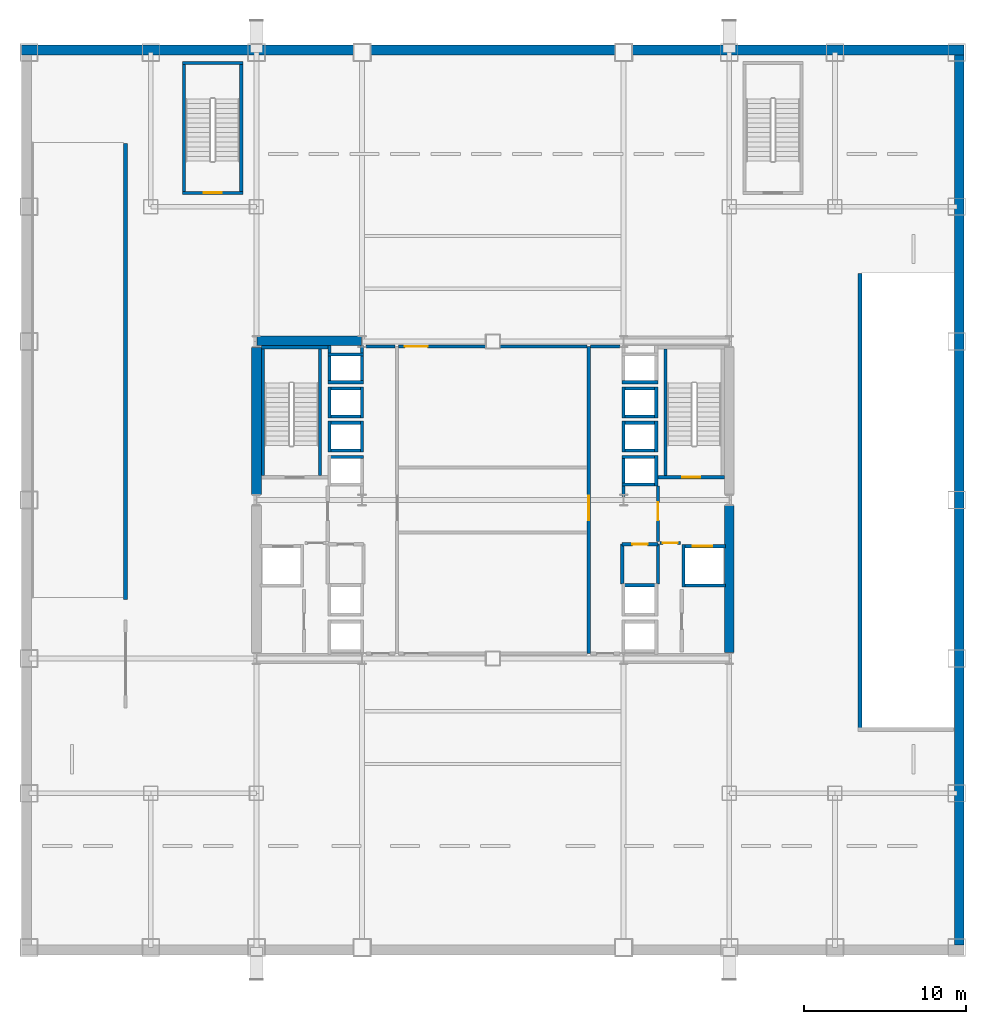
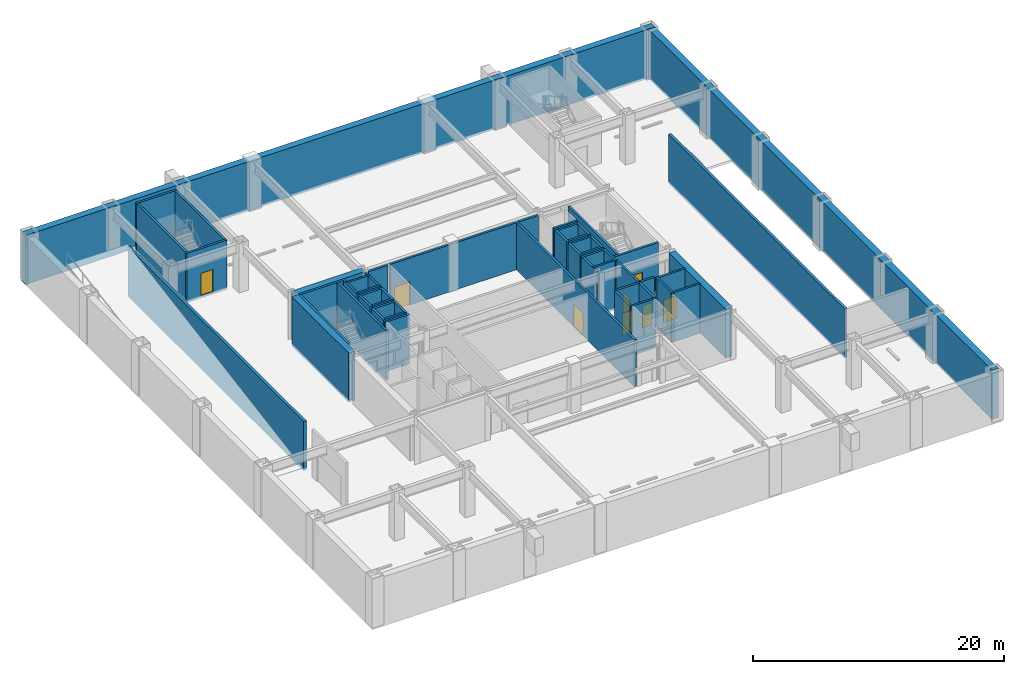
# One storey, part 7 of 10: 55 walls, 8 doors, 8 openings.
"""IFC4 building model written with IfcOpenShell, lengths in metres."""

from ifc_helpers import new_model, si_unit, direction, frame, frame_2d, origin, place, context, subcontext, project, spatial, rectangle, extrude, material, layer, layer_set, type_object, element, fill, save


model = new_model("IFC4")

# Units and contexts
model_context = context("Model", 3, precision=1e-05, world=origin(), true_north=direction((0.0, 1.0)))
body_context = subcontext(model_context, "Body", "Model", "MODEL_VIEW")
ifc_project = project(units=[si_unit("LENGTHUNIT", "METRE"), si_unit("AREAUNIT", "SQUARE_METRE"), si_unit("VOLUMEUNIT", "CUBIC_METRE"), si_unit("PLANEANGLEUNIT", "RADIAN"), si_unit("MASSUNIT", "GRAM", prefix="KILO")], contexts=[model_context])

# Site, building, storey
site_placement = place(None, origin())
site = spatial("IfcSite", under=ifc_project, at=site_placement, CompositionType="ELEMENT")
building_placement = place(site_placement, origin())
building = spatial("IfcBuilding", under=site, at=building_placement, Name="Brelmoor Portico Tower", CompositionType="ELEMENT")
storey_placement = place(building_placement, frame((0.0, 0.0, -4.800048828125)))
storey = spatial("IfcBuildingStorey", under=building, at=storey_placement, Name="B1", CompositionType="ELEMENT", Elevation=-4.800048828125)

# Walls
ifc_material_1 = material(Name="Concrete C60", Category="concrete")
ifc_layer_1 = layer(ifc_material_1, 0.60009765625)
ifc_layer_set_1 = layer_set([ifc_layer_1], Name="Concrete C60")
wall_type_1 = type_object("IfcWallType", Name="WL-CORE-600", PredefinedType="SHEAR", material=ifc_layer_set_1)
wall_1_placement = place(storey_placement, frame((-14.530029296875, 9.800048828125, -0.219970703125), z_axis=(0.0, 0.0, 1.0), x_axis=(1.0, 0.0, 0.0)))
element("IfcWall", 1, at=wall_1_placement, inside=storey, type_object=wall_type_1, Name="B1 WC North Shear Wall", PredefinedType="SHEAR", context=body_context, shape_type="SweptSolid", body=[
    extrude(rectangle(XDim=6.4599609375, YDim=0.60009765625, at=frame_2d((3.22998046875, 0.0))), origin(), (0.0, 0.0, 1.0), 4.800048828125),
])
for number, where, z_axis, x_axis, name in (
    (2, (-14.550048828125, 0.35009765625, -0.219970703125), (0.0, 0.0, 1.0), (0.0, 1.0, 0.0), "B1 WC Outer North Shear Wall"),
    (3, (14.550048828125, -9.39990234375, -0.219970703125), (0.0, 0.0, 1.0), (0.0, 1.0, 0.0), "B1 EC Outer South Shear Wall"),
):
    element("IfcWall", number, at=place(storey_placement, frame(where, z_axis=z_axis, x_axis=x_axis)), inside=storey, type_object=wall_type_1, Name=name, PredefinedType="SHEAR", context=body_context, shape_type="SweptSolid", body=[
        extrude(rectangle(XDim=9.0498046875, YDim=0.60009765625, at=frame_2d((4.52490234375, 0.0))), origin(), (0.0, 0.0, 1.0), 4.800048828125),
    ])
ifc_material_2 = material(Name="Double-Stud Gypsum Fire Partition", Category="gypsum")
ifc_layer_2 = layer(ifc_material_2, 0.199951171875)
ifc_layer_set_2 = layer_set([ifc_layer_2], Name="Double-Stud Gypsum Fire Partition")
wall_type_2 = type_object("IfcWallType", Name="WL-PART-200", PredefinedType="PARTITIONING", material=ifc_layer_set_2)
wall_2_placement = place(storey_placement, frame((-6.02001953125, 9.449951171875, 0.0), z_axis=(0.0, 0.0, 1.0), x_axis=(-1.0, 0.0, 0.0)))
element("IfcWall", 4, at=wall_2_placement, inside=storey, type_object=wall_type_2, Name="B1 W Lift Lobby North End Wall", PredefinedType="PARTITIONING", context=body_context, shape_type="SweptSolid", body=[
    extrude(rectangle(XDim=1.800048828125, YDim=0.199951171875, at=frame_2d((0.89990234375, 0.0))), origin(), (0.0, 0.0, 1.0), 4.580078125),
])

# Wall, opening, door
wall_3_placement = place(storey_placement, frame((5.89990234375, -9.449951171875, 0.0), z_axis=(0.0, 0.0, 1.0), x_axis=(0.0, 1.0, 0.0)))
wall_3 = element("IfcWall", 5, at=wall_3_placement, inside=storey, type_object=wall_type_2, Name="B1 E Core Lobby Compartment Wall", PredefinedType="PARTITIONING", context=body_context, shape_type="SweptSolid", body=[
    extrude(rectangle(XDim=18.89990234375, YDim=0.199951171875, at=frame_2d((9.449951171875, 0.0))), origin(), (0.0, 0.0, 1.0), 4.580078125),
])
opening_1_placement = place(wall_3_placement, frame((8.199951171875, 0.0, 0.0)))
opening_1 = element("IfcOpeningElement", 6, at=opening_1_placement, cuts=wall_3, Name="Opening D-LB1", PredefinedType="OPENING", context=body_context, shape_type="SweptSolid", body=[
    extrude(rectangle(XDim=1.5, YDim=2.199951171875, at=frame_2d((0.75, 1.10009765625))), frame((0.0, 0.10986328125, 0.0), z_axis=(0.0, -1.0, 0.0), x_axis=(1.0, 0.0, 0.0)), (0.0, 0.0, 1.0), 0.219970703125),
])
ifc_material_3 = material(Name="Double-Leaf Glazed Steel Fire Door", Category="steel")
door_type_1 = type_object("IfcDoorType", Name="DR-LOBBY-1500", OperationType="NOTDEFINED", PredefinedType="DOOR", material=ifc_material_3)
door_1_placement = place(opening_1_placement, origin())
door_1 = element("IfcDoor", 7, at=door_1_placement, inside=storey, type_object=door_type_1, Name="D-0034 B1 E Lift Lobby Main Door", OperationType="DOUBLE_DOOR_SINGLE_SWING", OverallHeight=2.199951171875, OverallWidth=1.5, PredefinedType="DOOR", context=body_context, shape_type="SweptSolid", body=[
    extrude(rectangle(XDim=1.5, YDim=2.199951171875, at=frame_2d((0.75, 1.10009765625))), frame((0.0, 0.02490234375, 0.0), z_axis=(0.0, -1.0, 0.0), x_axis=(1.0, 0.0, 0.0)), (0.0, 0.0, 1.0), 0.050048828125),
])
fill(opening_1, door_1)

# Wall
wall_4_placement = place(storey_placement, frame((6.02001953125, 9.449951171875, 0.0), z_axis=(0.0, 0.0, 1.0), x_axis=(1.0, 0.0, 0.0)))
element("IfcWall", 8, at=wall_4_placement, inside=storey, type_object=wall_type_2, Name="B1 E Lift Lobby North End Wall", PredefinedType="PARTITIONING", context=body_context, shape_type="SweptSolid", body=[
    extrude(rectangle(XDim=1.800048828125, YDim=0.199951171875, at=frame_2d((0.89990234375, 0.0))), origin(), (0.0, 0.0, 1.0), 4.580078125),
])

# Wall, opening, door
wall_5_placement = place(storey_placement, frame((10.159912109375, -2.550048828125, 0.0), z_axis=(0.0, 0.0, 1.0), x_axis=(0.0, 1.0, 0.0)))
wall_5 = element("IfcWall", 9, at=wall_5_placement, inside=storey, type_object=wall_type_2, Name="B1 E Firefighting Lobby Wall", PredefinedType="PARTITIONING", context=body_context, shape_type="SweptSolid", body=[
    extrude(rectangle(XDim=3.400146484375, YDim=0.199951171875, at=frame_2d((1.7001953125, 0.0))), origin(), (0.0, 0.0, 1.0), 4.580078125),
])
opening_2_placement = place(wall_5_placement, frame((1.300048828125, 0.0, 0.0)))
opening_2 = element("IfcOpeningElement", 10, at=opening_2_placement, cuts=wall_5, Name="Opening D-FR1", PredefinedType="OPENING", context=body_context, shape_type="SweptSolid", body=[
    extrude(rectangle(XDim=1.10009765625, YDim=2.14990234375, at=frame_2d((0.550048828125, 1.074951171875))), frame((0.0, 0.10986328125, 0.0), z_axis=(0.0, -1.0, 0.0), x_axis=(1.0, 0.0, 0.0)), (0.0, 0.0, 1.0), 0.219970703125),
])
ifc_material_4 = material(Name="Painted Galvanised Steel Fire Door", Category="steel")
door_type_2 = type_object("IfcDoorType", Name="DR-FIRE-1100", OperationType="NOTDEFINED", PredefinedType="DOOR", material=ifc_material_4)
door_2_placement = place(opening_2_placement, origin())
door_2 = element("IfcDoor", 11, at=door_2_placement, inside=storey, type_object=door_type_2, Name="D-0030 B1 E Firefighting Lobby Door", OperationType="SINGLE_SWING_RIGHT", OverallHeight=2.14990234375, OverallWidth=1.10009765625, PredefinedType="DOOR", context=body_context, shape_type="SweptSolid", body=[
    extrude(rectangle(XDim=1.10009765625, YDim=2.14990234375, at=frame_2d((0.550048828125, 1.074951171875))), frame((0.0, 0.02490234375, 0.0), z_axis=(0.0, -1.0, 0.0), x_axis=(1.0, 0.0, 0.0)), (0.0, 0.0, 1.0), 0.050048828125),
])
fill(opening_2, door_2)

wall_6_placement = place(storey_placement, frame((10.280029296875, -2.64990234375, 0.0), z_axis=(0.0, 0.0, 1.0), x_axis=(1.0, 0.0, 0.0)))
wall_6 = element("IfcWall", 12, at=wall_6_placement, inside=storey, type_object=wall_type_2, Name="B1 E Firefighting Lobby South Wall", PredefinedType="PARTITIONING", context=body_context, shape_type="SweptSolid", body=[
    extrude(rectangle(XDim=1.27001953125, YDim=0.199951171875, at=frame_2d((0.635009765625, 0.0))), origin(), (0.0, 0.0, 1.0), 4.580078125),
])
opening_3_placement = place(wall_6_placement, frame((0.18505859375, 0.0, 0.0)))
opening_3 = element("IfcOpeningElement", 13, at=opening_3_placement, cuts=wall_6, Name="Opening D-IN1", PredefinedType="OPENING", context=body_context, shape_type="SweptSolid", body=[
    extrude(rectangle(XDim=0.89990234375, YDim=2.14990234375, at=frame_2d((0.449951171875, 1.074951171875))), frame((0.0, 0.10986328125, 0.0), z_axis=(0.0, -1.0, 0.0), x_axis=(1.0, 0.0, 0.0)), (0.0, 0.0, 1.0), 0.219970703125),
])
ifc_material_5 = material(Name="Lacquered Timber Suite Door", Category="wood")
door_type_3 = type_object("IfcDoorType", Name="DR-INT-900", OperationType="NOTDEFINED", PredefinedType="DOOR", material=ifc_material_5)
door_3_placement = place(opening_3_placement, origin())
door_3 = element("IfcDoor", 14, at=door_3_placement, inside=storey, type_object=door_type_3, Name="D-0026 B1 E Core Service Vestibule Door", OperationType="SINGLE_SWING_LEFT", OverallHeight=2.14990234375, OverallWidth=0.89990234375, PredefinedType="DOOR", context=body_context, shape_type="SweptSolid", body=[
    extrude(rectangle(XDim=0.89990234375, YDim=2.14990234375, at=frame_2d((0.449951171875, 1.074951171875))), frame((0.0, 0.02490234375, 0.0), z_axis=(0.0, -1.0, 0.0), x_axis=(1.0, 0.0, 0.0)), (0.0, 0.0, 1.0), 0.050048828125),
])
fill(opening_3, door_3)

wall_7_placement = place(storey_placement, frame((7.9599609375, -2.719970703125, 0.0), z_axis=(0.0, 0.0, 1.0), x_axis=(1.0, 0.0, 0.0)))
wall_7 = element("IfcWall", 15, at=wall_7_placement, inside=storey, type_object=wall_type_2, Name="B1 E Electrical Switchgear Closet Wall", PredefinedType="PARTITIONING", context=body_context, shape_type="SweptSolid", body=[
    extrude(rectangle(XDim=2.199951171875, YDim=0.199951171875, at=frame_2d((1.10009765625, 0.0))), origin(), (0.0, 0.0, 1.0), 4.580078125),
])
opening_4_placement = place(wall_7_placement, frame((0.6201171875, 0.0, 0.0)))
opening_4 = element("IfcOpeningElement", 16, at=opening_4_placement, cuts=wall_7, Name="Opening D-FR4", PredefinedType="OPENING", context=body_context, shape_type="SweptSolid", body=[
    extrude(rectangle(XDim=0.949951171875, YDim=2.10009765625, at=frame_2d((0.47509765625, 1.050048828125))), frame((0.0, 0.10986328125, 0.0), z_axis=(0.0, -1.0, 0.0), x_axis=(1.0, 0.0, 0.0)), (0.0, 0.0, 1.0), 0.219970703125),
])
ifc_material_6 = material(Name="Painted Galvanised Steel Riser Door", Category="steel")
door_type_4 = type_object("IfcDoorType", Name="DR-FIRE-950", OperationType="NOTDEFINED", PredefinedType="DOOR", material=ifc_material_6)
door_4_placement = place(opening_4_placement, origin())
door_4 = element("IfcDoor", 17, at=door_4_placement, inside=storey, type_object=door_type_4, Name="D-0028 B1 E Electrical Switchgear Closet Door", OperationType="SINGLE_SWING_RIGHT", OverallHeight=2.10009765625, OverallWidth=0.949951171875, PredefinedType="DOOR", context=body_context, shape_type="SweptSolid", body=[
    extrude(rectangle(XDim=0.949951171875, YDim=2.10009765625, at=frame_2d((0.47509765625, 1.050048828125))), frame((0.0, 0.02490234375, 0.0), z_axis=(0.0, -1.0, 0.0), x_axis=(1.0, 0.0, 0.0)), (0.0, 0.0, 1.0), 0.050048828125),
])
fill(opening_4, door_4)

# Walls
for number, where, z_axis, x_axis, name in (
    (18, (7.9599609375, -5.159912109375, 0.0), (0.0, 0.0, 1.0), (0.0, 1.0, 0.0), "B1 E Electrical Switchgear Closet Inner Wall"),
    (19, (10.159912109375, -5.159912109375, 0.0), (0.0, 0.0, 1.0), (0.0, 1.0, 0.0), "B1 E Electrical Switchgear Closet Outer Wall"),
):
    element("IfcWall", number, at=place(storey_placement, frame(where, z_axis=z_axis, x_axis=x_axis)), inside=storey, type_object=wall_type_2, Name=name, PredefinedType="PARTITIONING", context=body_context, shape_type="SweptSolid", body=[
        extrude(rectangle(XDim=2.43994140625, YDim=0.199951171875, at=frame_2d((1.219970703125, 0.0))), origin(), (0.0, 0.0, 1.0), 4.580078125),
    ])

# Wall, opening, door
wall_8_placement = place(storey_placement, frame((-5.800048828125, 9.449951171875, 0.0), z_axis=(0.0, 0.0, 1.0), x_axis=(1.0, 0.0, 0.0)))
wall_8 = element("IfcWall", 20, at=wall_8_placement, inside=storey, type_object=wall_type_2, Name="B1 Switchroom Loop Wall", PredefinedType="PARTITIONING", context=body_context, shape_type="SweptSolid", body=[
    extrude(rectangle(XDim=11.60009765625, YDim=0.199951171875, at=frame_2d((5.800048828125, 0.0))), origin(), (0.0, 0.0, 1.0), 4.580078125),
])
opening_5_placement = place(wall_8_placement, frame((0.3798828125, 0.0, 0.0)))
opening_5 = element("IfcOpeningElement", 21, at=opening_5_placement, cuts=wall_8, Name="Opening D-PL1", PredefinedType="OPENING", context=body_context, shape_type="SweptSolid", body=[
    extrude(rectangle(XDim=1.39990234375, YDim=2.25, at=frame_2d((0.699951171875, 1.125))), frame((0.0, 0.10986328125, 0.0), z_axis=(0.0, -1.0, 0.0), x_axis=(1.0, 0.0, 0.0)), (0.0, 0.0, 1.0), 0.219970703125),
])
ifc_material_7 = material(Name="Double-Leaf Acoustic Steel Plant Door", Category="steel")
door_type_5 = type_object("IfcDoorType", Name="DR-PLANT-1400", OperationType="NOTDEFINED", PredefinedType="DOOR", material=ifc_material_7)
door_5_placement = place(opening_5_placement, origin())
door_5 = element("IfcDoor", 22, at=door_5_placement, inside=storey, type_object=door_type_5, Name="D-0022 B1 Switchroom Door", OperationType="DOUBLE_DOOR_SINGLE_SWING", OverallHeight=2.25, OverallWidth=1.39990234375, PredefinedType="DOOR", context=body_context, shape_type="SweptSolid", body=[
    extrude(rectangle(XDim=1.39990234375, YDim=2.25, at=frame_2d((0.699951171875, 1.125))), frame((0.0, 0.02490234375, 0.0), z_axis=(0.0, -1.0, 0.0), x_axis=(1.0, 0.0, 0.0)), (0.0, 0.0, 1.0), 0.050048828125),
])
fill(opening_5, door_5)

# Walls
ifc_material_8 = material(Name="Concrete C50", Category="concrete")
ifc_layer_3 = layer(ifc_material_8, 0.60009765625)
ifc_layer_set_3 = layer_set([ifc_layer_3], Name="Concrete C50")
wall_type_3 = type_object("IfcWallType", Name="WL-RET-600", PredefinedType="STANDARD", material=ifc_layer_set_3)
wall_9_placement = place(storey_placement, frame((-29.0, 27.699951171875, -0.219970703125), z_axis=(0.0, 0.0, 1.0), x_axis=(1.0, 0.0, 0.0)))
element("IfcWall", 23, at=wall_9_placement, inside=storey, type_object=wall_type_3, Name="B1 Basement Retaining Wall N", PredefinedType="STANDARD", context=body_context, shape_type="SweptSolid", body=[
    extrude(rectangle(XDim=58.0, YDim=0.60009765625, at=frame_2d((29.0, 0.0))), origin(), (0.0, 0.0, 1.0), 4.800048828125),
])
wall_10_placement = place(storey_placement, frame((28.699951171875, -27.39990234375, -0.219970703125), z_axis=(0.0, 0.0, 1.0), x_axis=(0.0, 1.0, 0.0)))
element("IfcWall", 24, at=wall_10_placement, inside=storey, type_object=wall_type_3, Name="B1 Basement Retaining Wall E", PredefinedType="STANDARD", context=body_context, shape_type="SweptSolid", body=[
    extrude(rectangle(XDim=54.7998046875, YDim=0.60009765625, at=frame_2d((27.39990234375, 0.0))), origin(), (0.0, 0.0, 1.0), 4.800048828125),
])
ifc_material_9 = material(Name="Precast Concrete C40", Category="concrete")
ifc_layer_4 = layer(ifc_material_9, 0.18994140625)
ifc_layer_set_4 = layer_set([ifc_layer_4], Name="Precast Concrete C40")
wall_type_4 = type_object("IfcWallType", Name="WL-SHAFT-180", PredefinedType="SOLIDWALL", material=ifc_layer_set_4)
wall_11_placement = place(storey_placement, frame((-10.14990234375, 2.655029296875, -0.219970703125), z_axis=(0.0, 0.0, 1.0), x_axis=(1.0, 0.0, 0.0)))
element("IfcWall", 25, at=wall_11_placement, inside=storey, type_object=wall_type_4, Name="B1 Lift PL1 Hoistway North Wall", PredefinedType="SOLIDWALL", context=body_context, shape_type="SweptSolid", body=[
    extrude(rectangle(XDim=2.199951171875, YDim=0.18994140625, at=frame_2d((1.10009765625, 0.0))), origin(), (0.0, 0.0, 1.0), 4.800048828125),
])
for number, where, z_axis, x_axis, name in (
    (26, (-8.044921875, 2.949951171875, -0.219970703125), (0.0, 0.0, 1.0), (0.0, 1.0, 0.0), "B1 Lift PL2 Hoistway Front Wall"),
    (27, (-10.054931640625, 2.949951171875, -0.219970703125), (0.0, 0.0, 1.0), (0.0, 1.0, 0.0), "B1 Lift PL2 Hoistway Back Wall"),
):
    element("IfcWall", number, at=place(storey_placement, frame(where, z_axis=z_axis, x_axis=x_axis)), inside=storey, type_object=wall_type_4, Name=name, PredefinedType="SOLIDWALL", context=body_context, shape_type="SweptSolid", body=[
        extrude(rectangle(XDim=1.900146484375, YDim=0.18994140625, at=frame_2d((0.9501953125, 0.0))), origin(), (0.0, 0.0, 1.0), 4.800048828125),
    ])
for number, where, z_axis, x_axis, name in (
    (28, (-10.14990234375, 4.7548828125, -0.219970703125), (0.0, 0.0, 1.0), (1.0, 0.0, 0.0), "B1 Lift PL2 Hoistway North Wall"),
    (29, (-10.14990234375, 3.044921875, -0.219970703125), (0.0, 0.0, 1.0), (1.0, 0.0, 0.0), "B1 Lift PL2 Hoistway South Wall"),
):
    element("IfcWall", number, at=place(storey_placement, frame(where, z_axis=z_axis, x_axis=x_axis)), inside=storey, type_object=wall_type_4, Name=name, PredefinedType="SOLIDWALL", context=body_context, shape_type="SweptSolid", body=[
        extrude(rectangle(XDim=2.199951171875, YDim=0.18994140625, at=frame_2d((1.10009765625, 0.0))), origin(), (0.0, 0.0, 1.0), 4.800048828125),
    ])
for number, where, z_axis, x_axis, name in (
    (30, (-8.044921875, 5.050048828125, -0.219970703125), (0.0, 0.0, 1.0), (0.0, 1.0, 0.0), "B1 Lift PL3 Hoistway Front Wall"),
    (31, (-10.054931640625, 5.050048828125, -0.219970703125), (0.0, 0.0, 1.0), (0.0, 1.0, 0.0), "B1 Lift PL3 Hoistway Back Wall"),
):
    element("IfcWall", number, at=place(storey_placement, frame(where, z_axis=z_axis, x_axis=x_axis)), inside=storey, type_object=wall_type_4, Name=name, PredefinedType="SOLIDWALL", context=body_context, shape_type="SweptSolid", body=[
        extrude(rectangle(XDim=1.89990234375, YDim=0.18994140625, at=frame_2d((0.949951171875, 0.0))), origin(), (0.0, 0.0, 1.0), 4.800048828125),
    ])
for number, where, z_axis, x_axis, name in (
    (32, (-10.14990234375, 6.85498046875, -0.219970703125), (0.0, 0.0, 1.0), (1.0, 0.0, 0.0), "B1 Lift PL3 Hoistway North Wall"),
    (33, (-10.14990234375, 5.14501953125, -0.219970703125), (0.0, 0.0, 1.0), (1.0, 0.0, 0.0), "B1 Lift PL3 Hoistway South Wall"),
):
    element("IfcWall", number, at=place(storey_placement, frame(where, z_axis=z_axis, x_axis=x_axis)), inside=storey, type_object=wall_type_4, Name=name, PredefinedType="SOLIDWALL", context=body_context, shape_type="SweptSolid", body=[
        extrude(rectangle(XDim=2.199951171875, YDim=0.18994140625, at=frame_2d((1.10009765625, 0.0))), origin(), (0.0, 0.0, 1.0), 4.800048828125),
    ])
for number, where, z_axis, x_axis, name in (
    (34, (-8.044921875, 7.14990234375, -0.219970703125), (0.0, 0.0, 1.0), (0.0, 1.0, 0.0), "B1 Lift PL4 Hoistway Front Wall"),
    (35, (-10.054931640625, 7.14990234375, -0.219970703125), (0.0, 0.0, 1.0), (0.0, 1.0, 0.0), "B1 Lift PL4 Hoistway Back Wall"),
):
    element("IfcWall", number, at=place(storey_placement, frame(where, z_axis=z_axis, x_axis=x_axis)), inside=storey, type_object=wall_type_4, Name=name, PredefinedType="SOLIDWALL", context=body_context, shape_type="SweptSolid", body=[
        extrude(rectangle(XDim=2.3701171875, YDim=0.18994140625, at=frame_2d((1.18505859375, 0.0))), origin(), (0.0, 0.0, 1.0), 4.800048828125),
    ])
for number, where, z_axis, x_axis, name in (
    (36, (-10.14990234375, 8.955078125, -0.219970703125), (0.0, 0.0, 1.0), (1.0, 0.0, 0.0), "B1 Lift PL4 Hoistway North Wall"),
    (37, (-10.14990234375, 7.2451171875, -0.219970703125), (0.0, 0.0, 1.0), (1.0, 0.0, 0.0), "B1 Lift PL4 Hoistway South Wall"),
):
    element("IfcWall", number, at=place(storey_placement, frame(where, z_axis=z_axis, x_axis=x_axis)), inside=storey, type_object=wall_type_4, Name=name, PredefinedType="SOLIDWALL", context=body_context, shape_type="SweptSolid", body=[
        extrude(rectangle(XDim=2.199951171875, YDim=0.18994140625, at=frame_2d((1.10009765625, 0.0))), origin(), (0.0, 0.0, 1.0), 4.800048828125),
    ])
wall_12_placement = place(storey_placement, frame((8.044921875, 0.2099609375, -0.219970703125), z_axis=(0.0, 0.0, 1.0), x_axis=(0.0, 1.0, 0.0)))
element("IfcWall", 38, at=wall_12_placement, inside=storey, type_object=wall_type_4, Name="B1 Lift PM1 Hoistway Front Wall", PredefinedType="SOLIDWALL", context=body_context, shape_type="SweptSolid", body=[
    extrude(rectangle(XDim=2.5400390625, YDim=0.18994140625, at=frame_2d((1.27001953125, 0.0))), origin(), (0.0, 0.0, 1.0), 4.800048828125),
])
wall_13_placement = place(storey_placement, frame((10.054931640625, 0.85009765625, -0.219970703125), z_axis=(0.0, 0.0, 1.0), x_axis=(0.0, 1.0, 0.0)))
element("IfcWall", 39, at=wall_13_placement, inside=storey, type_object=wall_type_4, Name="B1 Lift PM1 Hoistway Back Wall", PredefinedType="SOLIDWALL", context=body_context, shape_type="SweptSolid", body=[
    extrude(rectangle(XDim=1.89990234375, YDim=0.18994140625, at=frame_2d((0.949951171875, 0.0))), origin(), (0.0, 0.0, 1.0), 4.800048828125),
])
for number, where, z_axis, x_axis, name in (
    (40, (7.949951171875, 2.655029296875, -0.219970703125), (0.0, 0.0, 1.0), (1.0, 0.0, 0.0), "B1 Lift PM1 Hoistway North Wall"),
    (41, (7.949951171875, 0.945068359375, -0.219970703125), (0.0, 0.0, 1.0), (1.0, 0.0, 0.0), "B1 Lift PM1 Hoistway South Wall"),
):
    element("IfcWall", number, at=place(storey_placement, frame(where, z_axis=z_axis, x_axis=x_axis)), inside=storey, type_object=wall_type_4, Name=name, PredefinedType="SOLIDWALL", context=body_context, shape_type="SweptSolid", body=[
        extrude(rectangle(XDim=2.199951171875, YDim=0.18994140625, at=frame_2d((1.10009765625, 0.0))), origin(), (0.0, 0.0, 1.0), 4.800048828125),
    ])
for number, where, z_axis, x_axis, name in (
    (42, (8.044921875, 2.949951171875, -0.219970703125), (0.0, 0.0, 1.0), (0.0, 1.0, 0.0), "B1 Lift PM2 Hoistway Front Wall"),
    (43, (10.054931640625, 2.949951171875, -0.219970703125), (0.0, 0.0, 1.0), (0.0, 1.0, 0.0), "B1 Lift PM2 Hoistway Back Wall"),
):
    element("IfcWall", number, at=place(storey_placement, frame(where, z_axis=z_axis, x_axis=x_axis)), inside=storey, type_object=wall_type_4, Name=name, PredefinedType="SOLIDWALL", context=body_context, shape_type="SweptSolid", body=[
        extrude(rectangle(XDim=1.900146484375, YDim=0.18994140625, at=frame_2d((0.9501953125, 0.0))), origin(), (0.0, 0.0, 1.0), 4.800048828125),
    ])
for number, where, z_axis, x_axis, name in (
    (44, (7.949951171875, 4.7548828125, -0.219970703125), (0.0, 0.0, 1.0), (1.0, 0.0, 0.0), "B1 Lift PM2 Hoistway North Wall"),
    (45, (7.949951171875, 3.044921875, -0.219970703125), (0.0, 0.0, 1.0), (1.0, 0.0, 0.0), "B1 Lift PM2 Hoistway South Wall"),
):
    element("IfcWall", number, at=place(storey_placement, frame(where, z_axis=z_axis, x_axis=x_axis)), inside=storey, type_object=wall_type_4, Name=name, PredefinedType="SOLIDWALL", context=body_context, shape_type="SweptSolid", body=[
        extrude(rectangle(XDim=2.199951171875, YDim=0.18994140625, at=frame_2d((1.10009765625, 0.0))), origin(), (0.0, 0.0, 1.0), 4.800048828125),
    ])
for number, where, z_axis, x_axis, name in (
    (46, (8.044921875, 5.050048828125, -0.219970703125), (0.0, 0.0, 1.0), (0.0, 1.0, 0.0), "B1 Lift PM3 Hoistway Front Wall"),
    (47, (10.054931640625, 5.050048828125, -0.219970703125), (0.0, 0.0, 1.0), (0.0, 1.0, 0.0), "B1 Lift PM3 Hoistway Back Wall"),
):
    element("IfcWall", number, at=place(storey_placement, frame(where, z_axis=z_axis, x_axis=x_axis)), inside=storey, type_object=wall_type_4, Name=name, PredefinedType="SOLIDWALL", context=body_context, shape_type="SweptSolid", body=[
        extrude(rectangle(XDim=1.89990234375, YDim=0.18994140625, at=frame_2d((0.949951171875, 0.0))), origin(), (0.0, 0.0, 1.0), 4.800048828125),
    ])
for number, where, z_axis, x_axis, name in (
    (48, (7.949951171875, 6.85498046875, -0.219970703125), (0.0, 0.0, 1.0), (1.0, 0.0, 0.0), "B1 Lift PM3 Hoistway North Wall"),
    (49, (7.949951171875, 5.14501953125, -0.219970703125), (0.0, 0.0, 1.0), (1.0, 0.0, 0.0), "B1 Lift PM3 Hoistway South Wall"),
    (50, (7.949951171875, 7.2451171875, -0.219970703125), (0.0, 0.0, 1.0), (1.0, 0.0, 0.0), "B1 Lift PM4 Hoistway South Wall"),
    (51, (7.949951171875, -5.2451171875, -0.219970703125), (0.0, 0.0, 1.0), (1.0, 0.0, 0.0), "B1 Lift PH4 Hoistway North Wall"),
):
    element("IfcWall", number, at=place(storey_placement, frame(where, z_axis=z_axis, x_axis=x_axis)), inside=storey, type_object=wall_type_4, Name=name, PredefinedType="SOLIDWALL", context=body_context, shape_type="SweptSolid", body=[
        extrude(rectangle(XDim=2.199951171875, YDim=0.18994140625, at=frame_2d((1.10009765625, 0.0))), origin(), (0.0, 0.0, 1.0), 4.800048828125),
    ])

# Wall, opening, door
wall_14_placement = place(storey_placement, frame((11.64990234375, -2.844970703125, -0.219970703125), z_axis=(0.0, 0.0, 1.0), x_axis=(1.0, 0.0, 0.0)))
wall_14 = element("IfcWall", 52, at=wall_14_placement, inside=storey, type_object=wall_type_4, Name="B1 Lift FF2 Hoistway Front Wall", PredefinedType="SOLIDWALL", context=body_context, shape_type="SweptSolid", body=[
    extrude(rectangle(XDim=2.68017578125, YDim=0.18994140625, at=frame_2d((1.340087890625, 0.0))), origin(), (0.0, 0.0, 1.0), 4.800048828125),
])
opening_6_placement = place(wall_14_placement, frame((0.64990234375, 0.0, 0.219970703125)))
opening_6 = element("IfcOpeningElement", 53, at=opening_6_placement, cuts=wall_14, Name="Opening LD-02", PredefinedType="OPENING", context=body_context, shape_type="SweptSolid", body=[
    extrude(rectangle(XDim=1.199951171875, YDim=2.199951171875, at=frame_2d((0.60009765625, 1.10009765625))), frame((0.0, 0.10498046875, 0.0), z_axis=(0.0, -1.0, 0.0), x_axis=(1.0, 0.0, 0.0)), (0.0, 0.0, 1.0), 0.2099609375),
])
ifc_material_10 = material(Name="Brushed Stainless Steel Firefighting Lift Door", Category="steel")
door_type_6 = type_object("IfcDoorType", Name="DR-LIFT-1200", OperationType="NOTDEFINED", PredefinedType="DOOR", material=ifc_material_10)
door_6_placement = place(opening_6_placement, origin())
door_6 = element("IfcDoor", 54, at=door_6_placement, inside=storey, type_object=door_type_6, Name="D-0042 B1 Lift FF2 Sliding Landing Door", OperationType="SLIDING_TO_LEFT", OverallHeight=2.199951171875, OverallWidth=1.199951171875, PredefinedType="DOOR", context=body_context, shape_type="SweptSolid", body=[
    extrude(rectangle(XDim=1.199951171875, YDim=2.199951171875, at=frame_2d((0.60009765625, 1.10009765625))), frame((0.0, 0.02490234375, 0.0), z_axis=(0.0, -1.0, 0.0), x_axis=(1.0, 0.0, 0.0)), (0.0, 0.0, 1.0), 0.050048828125),
])
fill(opening_6, door_6)

# Walls
wall_15_placement = place(storey_placement, frame((11.64990234375, -5.2548828125, -0.219970703125), z_axis=(0.0, 0.0, 1.0), x_axis=(1.0, 0.0, 0.0)))
element("IfcWall", 55, at=wall_15_placement, inside=storey, type_object=wall_type_4, Name="B1 Firefighting Lift FF2 South Wall", PredefinedType="SOLIDWALL", context=body_context, shape_type="SweptSolid", body=[
    extrude(rectangle(XDim=2.68017578125, YDim=0.18994140625, at=frame_2d((1.340087890625, 0.0))), origin(), (0.0, 0.0, 1.0), 4.800048828125),
])
wall_16_placement = place(storey_placement, frame((11.7451171875, -5.35009765625, -0.219970703125), z_axis=(0.0, 0.0, 1.0), x_axis=(0.0, 1.0, 0.0)))
element("IfcWall", 56, at=wall_16_placement, inside=storey, type_object=wall_type_4, Name="B1 Firefighting Lift FF2 Inner Wall", PredefinedType="SOLIDWALL", context=body_context, shape_type="SweptSolid", body=[
    extrude(rectangle(XDim=2.60009765625, YDim=0.18994140625, at=frame_2d((1.300048828125, 0.0))), origin(), (0.0, 0.0, 1.0), 4.800048828125),
])
ifc_material_11 = material(Name="Concrete C40", Category="concrete")
ifc_layer_5 = layer(ifc_material_11, 0.199951171875)
ifc_layer_set_5 = layer_set([ifc_layer_5], Name="Concrete C40")
wall_type_5 = type_object("IfcWallType", Name="WL-SHAFT-RC200", PredefinedType="SOLIDWALL", material=ifc_layer_set_5)
wall_17_placement = place(storey_placement, frame((-14.14990234375, 1.5, -0.219970703125), z_axis=(0.0, 0.0, 1.0), x_axis=(0.0, 1.0, 0.0)))
element("IfcWall", 57, at=wall_17_placement, inside=storey, type_object=wall_type_5, Name="B1 ST-W Structural Stair Wall Outer", PredefinedType="SOLIDWALL", context=body_context, shape_type="SweptSolid", body=[
    extrude(rectangle(XDim=7.800048828125, YDim=0.199951171875, at=frame_2d((3.89990234375, 0.0))), origin(), (0.0, 0.0, 1.0), 4.800048828125),
])
wall_18_placement = place(storey_placement, frame((-14.25, 9.39990234375, -0.219970703125), z_axis=(0.0, 0.0, 1.0), x_axis=(1.0, 0.0, 0.0)))
element("IfcWall", 58, at=wall_18_placement, inside=storey, type_object=wall_type_5, Name="B1 ST-W Structural Stair Wall N", PredefinedType="SOLIDWALL", context=body_context, shape_type="SweptSolid", body=[
    extrude(rectangle(XDim=4.10009765625, YDim=0.199951171875, at=frame_2d((2.050048828125, 0.0))), origin(), (0.0, 0.0, 1.0), 4.800048828125),
])
wall_19_placement = place(storey_placement, frame((-10.6298828125, 1.5, -0.219970703125), z_axis=(0.0, 0.0, 1.0), x_axis=(0.0, 1.0, 0.0)))
element("IfcWall", 59, at=wall_19_placement, inside=storey, type_object=wall_type_5, Name="B1 ST-W Structural Stair Wall Inner", PredefinedType="SOLIDWALL", context=body_context, shape_type="SweptSolid", body=[
    extrude(rectangle(XDim=7.800048828125, YDim=0.199951171875, at=frame_2d((3.89990234375, 0.0))), origin(), (0.0, 0.0, 1.0), 4.800048828125),
])

# Wall, opening, door
wall_20_placement = place(storey_placement, frame((10.14990234375, 1.39990234375, -0.219970703125), z_axis=(0.0, 0.0, 1.0), x_axis=(1.0, 0.0, 0.0)))
wall_20 = element("IfcWall", 60, at=wall_20_placement, inside=storey, type_object=wall_type_5, Name="B1 ST-E Structural Stair Wall S", PredefinedType="SOLIDWALL", context=body_context, shape_type="SweptSolid", body=[
    extrude(rectangle(XDim=4.10009765625, YDim=0.199951171875, at=frame_2d((2.050048828125, 0.0))), origin(), (0.0, 0.0, 1.0), 4.800048828125),
])
opening_7_placement = place(wall_20_placement, frame((1.5, 0.0, 0.219970703125)))
opening_7 = element("IfcOpeningElement", 61, at=opening_7_placement, cuts=wall_20, Name="Opening D-ST1", PredefinedType="OPENING", context=body_context, shape_type="SweptSolid", body=[
    extrude(rectangle(XDim=1.1201171875, YDim=2.179931640625, at=frame_2d((0.56005859375, 1.08984375))), frame((0.0, 0.10986328125, 0.0), z_axis=(0.0, -1.0, 0.0), x_axis=(1.0, 0.0, 0.0)), (0.0, 0.0, 1.0), 0.219970703125),
])
door_type_7 = type_object("IfcDoorType", Name="DR-STAIR-1100", OperationType="NOTDEFINED", PredefinedType="DOOR", material=ifc_material_4)
door_7_placement = place(opening_7_placement, origin())
door_7 = element("IfcDoor", 62, at=door_7_placement, inside=storey, type_object=door_type_7, Name="D-0036 B1 ST-E Protected Exit Stair Door", OperationType="SINGLE_SWING_RIGHT", OverallHeight=2.179931640625, OverallWidth=1.1201171875, PredefinedType="DOOR", context=body_context, shape_type="SweptSolid", body=[
    extrude(rectangle(XDim=1.1201171875, YDim=2.179931640625, at=frame_2d((0.56005859375, 1.08984375))), frame((0.0, 0.02490234375, 0.0), z_axis=(0.0, -1.0, 0.0), x_axis=(1.0, 0.0, 0.0)), (0.0, 0.0, 1.0), 0.050048828125),
])
fill(opening_7, door_7)

# Wall
wall_21_placement = place(storey_placement, frame((10.6298828125, 1.5, -0.219970703125), z_axis=(0.0, 0.0, 1.0), x_axis=(0.0, 1.0, 0.0)))
element("IfcWall", 63, at=wall_21_placement, inside=storey, type_object=wall_type_5, Name="B1 ST-E Structural Stair Wall Inner", PredefinedType="SOLIDWALL", context=body_context, shape_type="SweptSolid", body=[
    extrude(rectangle(XDim=7.800048828125, YDim=0.199951171875, at=frame_2d((3.89990234375, 0.0))), origin(), (0.0, 0.0, 1.0), 4.800048828125),
])

# Wall, opening, door
wall_22_placement = place(storey_placement, frame((-19.10009765625, 18.89990234375, -0.219970703125), z_axis=(0.0, 0.0, 1.0), x_axis=(1.0, 0.0, 0.0)))
wall_22 = element("IfcWall", 64, at=wall_22_placement, inside=storey, type_object=wall_type_5, Name="B1 ST-P1 Structural Stair Wall S", PredefinedType="SOLIDWALL", context=body_context, shape_type="SweptSolid", body=[
    extrude(rectangle(XDim=3.72021484375, YDim=0.199951171875, at=frame_2d((1.860107421875, 0.0))), origin(), (0.0, 0.0, 1.0), 4.800048828125),
])
opening_8_placement = place(wall_22_placement, frame((1.300048828125, 0.0, 0.219970703125)))
opening_8 = element("IfcOpeningElement", 65, at=opening_8_placement, cuts=wall_22, Name="Opening D-ST1", PredefinedType="OPENING", context=body_context, shape_type="SweptSolid", body=[
    extrude(rectangle(XDim=1.1201171875, YDim=2.179931640625, at=frame_2d((0.56005859375, 1.08984375))), frame((0.0, 0.10986328125, 0.0), z_axis=(0.0, -1.0, 0.0), x_axis=(1.0, 0.0, 0.0)), (0.0, 0.0, 1.0), 0.219970703125),
])
door_8_placement = place(opening_8_placement, origin())
door_8 = element("IfcDoor", 66, at=door_8_placement, inside=storey, type_object=door_type_7, Name="D-0037 B1 ST-P1 Podium Exit Stair Door", OperationType="SINGLE_SWING_LEFT", OverallHeight=2.179931640625, OverallWidth=1.1201171875, PredefinedType="DOOR", context=body_context, shape_type="SweptSolid", body=[
    extrude(rectangle(XDim=1.1201171875, YDim=2.179931640625, at=frame_2d((0.56005859375, 1.08984375))), frame((0.0, 0.02490234375, 0.0), z_axis=(0.0, -1.0, 0.0), x_axis=(1.0, 0.0, 0.0)), (0.0, 0.0, 1.0), 0.050048828125),
])
fill(opening_8, door_8)

# Walls
wall_23_placement = place(storey_placement, frame((-19.10009765625, 26.89990234375, -0.219970703125), z_axis=(0.0, 0.0, 1.0), x_axis=(1.0, 0.0, 0.0)))
element("IfcWall", 67, at=wall_23_placement, inside=storey, type_object=wall_type_5, Name="B1 ST-P1 Structural Stair Wall N", PredefinedType="SOLIDWALL", context=body_context, shape_type="SweptSolid", body=[
    extrude(rectangle(XDim=3.72021484375, YDim=0.199951171875, at=frame_2d((1.860107421875, 0.0))), origin(), (0.0, 0.0, 1.0), 4.800048828125),
])
for number, where, z_axis, x_axis, name in (
    (68, (-19.0, 19.0, -0.219970703125), (0.0, 0.0, 1.0), (0.0, 1.0, 0.0), "B1 ST-P1 Structural Stair Wall W"),
    (69, (-15.47998046875, 19.0, -0.219970703125), (0.0, 0.0, 1.0), (0.0, 1.0, 0.0), "B1 ST-P1 Structural Stair Wall E"),
):
    element("IfcWall", number, at=place(storey_placement, frame(where, z_axis=z_axis, x_axis=x_axis)), inside=storey, type_object=wall_type_5, Name=name, PredefinedType="SOLIDWALL", context=body_context, shape_type="SweptSolid", body=[
        extrude(rectangle(XDim=7.800048828125, YDim=0.199951171875, at=frame_2d((3.89990234375, 0.0))), origin(), (0.0, 0.0, 1.0), 4.800048828125),
    ])
ifc_layer_6 = layer(ifc_material_11, 0.239990234375)
ifc_layer_set_6 = layer_set([ifc_layer_6], Name="Concrete C40")
wall_type_6 = type_object("IfcWallType", Name="WL-SHAFT-RC240", PredefinedType="SOLIDWALL", material=ifc_layer_set_6)
for number, where, z_axis, x_axis, name in (
    (70, (22.60009765625, -14.1201171875, -0.219970703125), (0.0, 0.0, 1.0), (0.0, 1.0, 0.0), "B1 Ramp VR-2 West Enclosure Wall"),
    (71, (-22.60009765625, -6.1201171875, -0.219970703125), (0.0, 0.0, 1.0), (0.0, 1.0, 0.0), "B1 Ramp VR-1 East Enclosure Wall"),
):
    element("IfcWall", number, at=place(storey_placement, frame(where, z_axis=z_axis, x_axis=x_axis)), inside=storey, type_object=wall_type_6, Name=name, PredefinedType="SOLIDWALL", context=body_context, shape_type="SweptSolid", body=[
        extrude(rectangle(XDim=28.070068359375, YDim=0.239990234375, at=frame_2d((14.03515625, 0.0))), origin(), (0.0, 0.0, 1.0), 4.800048828125),
    ])

save(model, "model.ifc")
